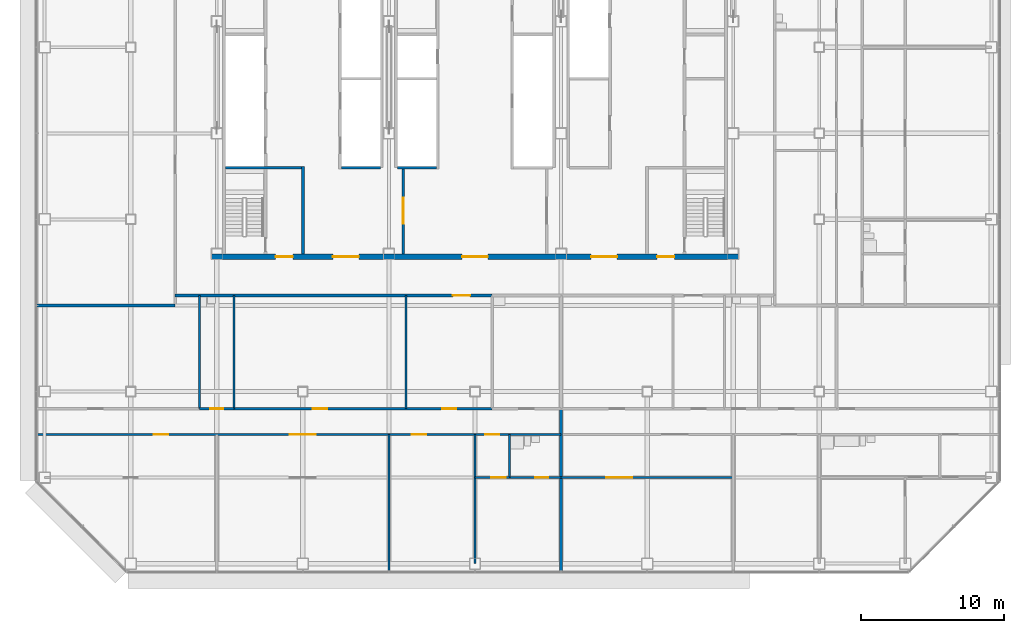
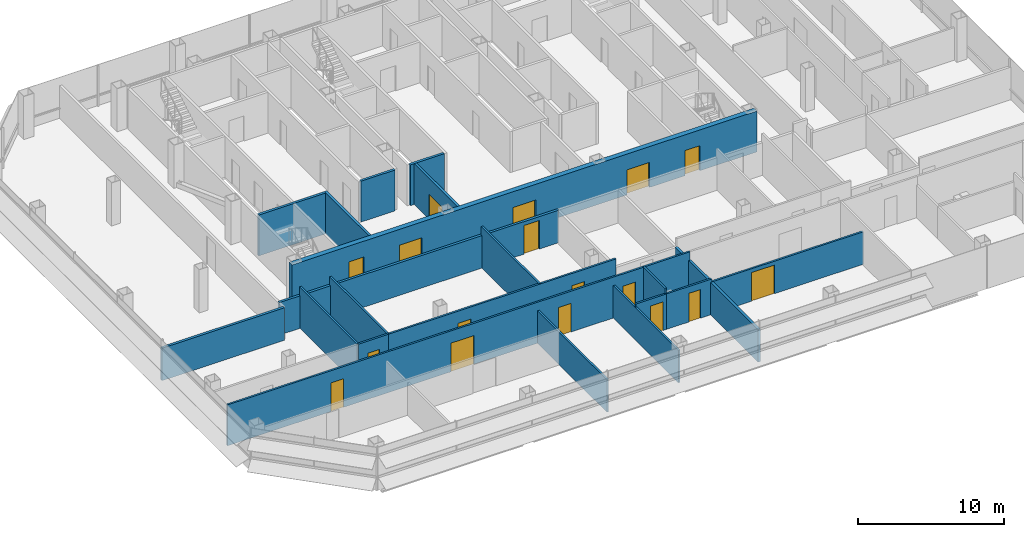
# One storey, part 19 of 25: 22 walls, 17 doors, 17 openings.
"""IFC4 building model written with IfcOpenShell, lengths in metres."""

from ifc_helpers import new_model, si_unit, direction, frame, frame_2d, origin, place, context, subcontext, project, spatial, rectangle, extrude, material, layer, layer_set, type_object, element, fill, save


model = new_model("IFC4")

# Units and contexts
model_context = context("Model", 3, precision=1e-05, world=origin(), true_north=direction((0.0, 1.0)))
body_context = subcontext(model_context, "Body", "Model", "MODEL_VIEW")
ifc_project = project(units=[si_unit("LENGTHUNIT", "METRE"), si_unit("AREAUNIT", "SQUARE_METRE"), si_unit("VOLUMEUNIT", "CUBIC_METRE"), si_unit("PLANEANGLEUNIT", "RADIAN"), si_unit("MASSUNIT", "GRAM", prefix="KILO")], contexts=[model_context])

# Site, building, storey
site_placement = place(None, origin())
site = spatial("IfcSite", under=ifc_project, at=site_placement, CompositionType="ELEMENT")
building_placement = place(site_placement, origin())
building = spatial("IfcBuilding", under=site, at=building_placement, Name="Sorahane Residences", CompositionType="ELEMENT")
storey_placement = place(building_placement, frame((0.0, 0.0, 130.39990234375)))
storey = spatial("IfcBuildingStorey", under=building, at=storey_placement, Name="L29", CompositionType="ELEMENT", Elevation=130.39990234375)

# Wall
ifc_material_1 = material(Name="Concrete blockwork C20 wall", Category="masonry")
ifc_layer_1 = layer(ifc_material_1, 0.199951171875)
ifc_layer_set_1 = layer_set([ifc_layer_1], Name="Corridor wall 200 EI 120")
wall_type_1 = type_object("IfcWallType", Name="Corridor wall 200 EI 120", PredefinedType="SOLIDWALL", material=ifc_layer_set_1)
wall_1_placement = place(storey_placement, frame((-6.60009765625, 18.0, 0.0), z_axis=(0.0, 0.0, 1.0), x_axis=(1.0, 0.0, 0.0)))
element("IfcWall", 1, at=wall_1_placement, inside=storey, type_object=wall_type_1, Name="L29 corridor wall", PredefinedType="SOLIDWALL", context=body_context, shape_type="SweptSolid", body=[
    extrude(rectangle(XDim=9.7001953125, YDim=0.199951171875, at=frame_2d((4.85009765625, 0.0))), origin(), (0.0, 0.0, 1.0), 2.72021484375),
])

# Wall, opening, door
wall_2_placement = place(storey_placement, frame((3.10009765625, 18.699951171875, 0.0), z_axis=(0.0, 0.0, 1.0), x_axis=(1.0, 0.0, 0.0)))
wall_2 = element("IfcWall", 2, at=wall_2_placement, inside=storey, type_object=wall_type_1, Name="L29 corridor wall", PredefinedType="SOLIDWALL", context=body_context, shape_type="SweptSolid", body=[
    extrude(rectangle(XDim=22.099853515625, YDim=0.199951171875, at=frame_2d((11.0498046875, 0.0))), origin(), (0.0, 0.0, 1.0), 2.72021484375),
])
opening_1_placement = place(wall_2_placement, frame((19.360107421875, 0.0, 0.0)))
opening_1 = element("IfcOpeningElement", 3, at=opening_1_placement, cuts=wall_2, Name="Opening L29-38", PredefinedType="OPENING", context=body_context, shape_type="SweptSolid", body=[
    extrude(rectangle(XDim=1.199951171875, YDim=2.39990234375, at=frame_2d((0.60009765625, 1.199951171875))), frame((0.0, 0.10986328125, 0.0), z_axis=(0.0, -1.0, 0.0), x_axis=(1.0, 0.0, 0.0)), (0.0, 0.0, 1.0), 0.219970703125),
])
ifc_material_2 = material(Name="Timber veneered fire door", Category="wood")
door_type_1 = type_object("IfcDoorType", Name="Flat entrance door 1200x2400 FD60", OperationType="NOTDEFINED", PredefinedType="DOOR", material=ifc_material_2)
door_1_placement = place(opening_1_placement, frame((1.199951171875, 0.0, 0.0), z_axis=(0.0, 0.0, 1.0), x_axis=(-1.0, 0.0, 0.0)))
door_1 = element("IfcDoor", 4, at=door_1_placement, inside=storey, type_object=door_type_1, Name="Flat entrance door L29-38", OperationType="SINGLE_SWING_RIGHT", OverallHeight=2.39990234375, OverallWidth=1.199951171875, PredefinedType="DOOR", context=body_context, shape_type="SweptSolid", body=[
    extrude(rectangle(XDim=1.199951171875, YDim=2.39990234375, at=frame_2d((0.60009765625, 1.199951171875))), frame((0.0, 0.02490234375, 0.0), z_axis=(0.0, -1.0, 0.0), x_axis=(1.0, 0.0, 0.0)), (0.0, 0.0, 1.0), 0.050048828125),
])
fill(opening_1, door_1)

# Walls
ifc_material_3 = material(Name="Concrete C30", Category="concrete")
ifc_layer_2 = layer(ifc_material_3, 0.199951171875)
ifc_layer_set_2 = layer_set([ifc_layer_2], Name="Front room wall 200 EI 120")
wall_type_2 = type_object("IfcWallType", Name="Front room wall 200 EI 120", PredefinedType="PARTITIONING", material=ifc_layer_set_2)
wall_3_placement = place(storey_placement, frame((12.0, 21.60009765625, 0.0), z_axis=(0.0, 0.0, 1.0), x_axis=(0.0, 1.0, 0.0)))
element("IfcWall", 5, at=wall_3_placement, inside=storey, type_object=wall_type_2, Name="L29 front room wall", PredefinedType="PARTITIONING", context=body_context, shape_type="SweptSolid", body=[
    extrude(rectangle(XDim=6.099853515625, YDim=0.199951171875, at=frame_2d((3.0498046875, 0.0))), origin(), (0.0, 0.0, 1.0), 3.420166015625),
])
ifc_material_4 = material(Name="Concrete C30", Category="concrete")
ifc_layer_3 = layer(ifc_material_4, 0.199951171875)
ifc_layer_set_3 = layer_set([ifc_layer_3], Name="Lift shaft wall 200 EI 120")
wall_type_3 = type_object("IfcWallType", Name="Lift shaft wall 200 EI 120", PredefinedType="SOLIDWALL", material=ifc_layer_set_3)
for number, where, z_axis, x_axis, name in (
    (6, (14.699951171875, 27.60009765625, 0.0), (0.0, 0.0, 1.0), (1.0, 0.0, 0.0), "L29 lift shaft wall"),
    (7, (18.60009765625, 27.60009765625, 0.0), (0.0, 0.0, 1.0), (1.0, 0.0, 0.0), "L29 lift shaft wall"),
):
    element("IfcWall", number, at=place(storey_placement, frame(where, z_axis=z_axis, x_axis=x_axis)), inside=storey, type_object=wall_type_3, Name=name, PredefinedType="SOLIDWALL", context=body_context, shape_type="SweptSolid", body=[
        extrude(rectangle(XDim=2.699951171875, YDim=0.199951171875, at=frame_2d((1.35009765625, 0.0))), origin(), (0.0, 0.0, 1.0), 3.420166015625),
    ])
ifc_material_5 = material(Name="Gypsum board partition on steel studs", Category="steel")
ifc_layer_4 = layer(ifc_material_5, 0.14990234375)
ifc_layer_set_4 = layer_set([ifc_layer_4], Name="Partition 150 EI 90")
wall_type_4 = type_object("IfcWallType", Name="Partition 150 EI 90", PredefinedType="PARTITIONING", material=ifc_layer_set_4)
wall_4_placement = place(storey_placement, frame((18.0, -0.60009765625, 0.0), z_axis=(0.0, 0.0, 1.0), x_axis=(0.0, 1.0, 0.0)))
element("IfcWall", 8, at=wall_4_placement, inside=storey, type_object=wall_type_4, Name="L29 partition", PredefinedType="PARTITIONING", context=body_context, shape_type="SweptSolid", body=[
    extrude(rectangle(XDim=9.60009765625, YDim=0.14990234375, at=frame_2d((4.800048828125, 0.0))), origin(), (0.0, 0.0, 1.0), 2.72021484375),
])
wall_5_placement = place(storey_placement, frame((19.199951171875, 10.800048828125, 0.0), z_axis=(0.0, 0.0, 1.0), x_axis=(0.0, 1.0, 0.0)))
element("IfcWall", 9, at=wall_5_placement, inside=storey, type_object=wall_type_4, Name="L29 partition", PredefinedType="PARTITIONING", context=body_context, shape_type="SweptSolid", body=[
    extrude(rectangle(XDim=7.89990234375, YDim=0.14990234375, at=frame_2d((3.949951171875, 0.0))), origin(), (0.0, 0.0, 1.0), 3.420166015625),
])
wall_6_placement = place(storey_placement, frame((24.0, 0.0, 0.0), z_axis=(0.0, 0.0, 1.0), x_axis=(0.0, 1.0, 0.0)))
element("IfcWall", 10, at=wall_6_placement, inside=storey, type_object=wall_type_4, Name="L29 partition", PredefinedType="PARTITIONING", context=body_context, shape_type="SweptSolid", body=[
    extrude(rectangle(XDim=9.0, YDim=0.14990234375, at=frame_2d((4.5, 0.0))), origin(), (0.0, 0.0, 1.0), 2.72021484375),
])

# Wall, openings, doors
wall_7_placement = place(storey_placement, frame((7.199951171875, 10.800048828125, 0.0), z_axis=(0.0, 0.0, 1.0), x_axis=(1.0, 0.0, 0.0)))
wall_7 = element("IfcWall", 11, at=wall_7_placement, inside=storey, type_object=wall_type_4, Name="L29 partition", PredefinedType="PARTITIONING", context=body_context, shape_type="SweptSolid", body=[
    extrude(rectangle(XDim=18.0, YDim=0.14990234375, at=frame_2d((9.0, 0.0))), origin(), (0.0, 0.0, 1.0), 3.420166015625),
])
opening_2_placement = place(wall_7_placement, frame((14.5, 0.0, 0.0)))
opening_2 = element("IfcOpeningElement", 12, at=opening_2_placement, cuts=wall_7, Name="Opening L29-01", PredefinedType="OPENING", context=body_context, shape_type="SweptSolid", body=[
    extrude(rectangle(XDim=1.0, YDim=2.39990234375, at=frame_2d((0.5, 1.199951171875))), frame((0.0, 0.0849609375, 0.0), z_axis=(0.0, -1.0, 0.0), x_axis=(1.0, 0.0, 0.0)), (0.0, 0.0, 1.0), 0.169921875),
])
opening_3_placement = place(wall_7_placement, frame((5.5, 0.0, 0.0)))
opening_3 = element("IfcOpeningElement", 13, at=opening_3_placement, cuts=wall_7, Name="Opening L29-04", PredefinedType="OPENING", context=body_context, shape_type="SweptSolid", body=[
    extrude(rectangle(XDim=1.0, YDim=2.39990234375, at=frame_2d((0.5, 1.199951171875))), frame((0.0, 0.0849609375, 0.0), z_axis=(0.0, -1.0, 0.0), x_axis=(1.0, 0.0, 0.0)), (0.0, 0.0, 1.0), 0.169921875),
])
ifc_material_6 = material(Name="Timber veneered fire door", Category="wood")
door_type_2 = type_object("IfcDoorType", Name="Room door 1000x2400 FD30", OperationType="NOTDEFINED", PredefinedType="DOOR", material=ifc_material_6)
door_2_placement = place(opening_2_placement, frame((1.0, 0.0, 0.0), z_axis=(0.0, 0.0, 1.0), x_axis=(-1.0, 0.0, 0.0)))
door_2 = element("IfcDoor", 14, at=door_2_placement, inside=storey, type_object=door_type_2, Name="Room door L29-01", OperationType="SINGLE_SWING_LEFT", OverallHeight=2.39990234375, OverallWidth=1.0, PredefinedType="DOOR", context=body_context, shape_type="SweptSolid", body=[
    extrude(rectangle(XDim=1.0, YDim=2.39990234375, at=frame_2d((0.5, 1.199951171875))), frame((0.0, 0.02490234375, 0.0), z_axis=(0.0, -1.0, 0.0), x_axis=(1.0, 0.0, 0.0)), (0.0, 0.0, 1.0), 0.050048828125),
])
fill(opening_2, door_2)
door_3_placement = place(opening_3_placement, origin())
door_3 = element("IfcDoor", 15, at=door_3_placement, inside=storey, type_object=door_type_2, Name="Room door L29-04", OperationType="SINGLE_SWING_RIGHT", OverallHeight=2.39990234375, OverallWidth=1.0, PredefinedType="DOOR", context=body_context, shape_type="SweptSolid", body=[
    extrude(rectangle(XDim=1.0, YDim=2.39990234375, at=frame_2d((0.5, 1.199951171875))), frame((0.0, 0.02490234375, 0.0), z_axis=(0.0, -1.0, 0.0), x_axis=(1.0, 0.0, 0.0)), (0.0, 0.0, 1.0), 0.050048828125),
])
fill(opening_3, door_3)

# Wall, opening, door
wall_8_placement = place(storey_placement, frame((24.0, 6.0, 0.0), z_axis=(0.0, 0.0, 1.0), x_axis=(1.0, 0.0, 0.0)))
wall_8 = element("IfcWall", 16, at=wall_8_placement, inside=storey, type_object=wall_type_4, Name="L29 partition", PredefinedType="PARTITIONING", context=body_context, shape_type="SweptSolid", body=[
    extrude(rectangle(XDim=2.39990234375, YDim=0.14990234375, at=frame_2d((1.199951171875, 0.0))), origin(), (0.0, 0.0, 1.0), 2.97021484375),
])
opening_4_placement = place(wall_8_placement, frame((1.14990234375, 0.0, 0.0)))
opening_4 = element("IfcOpeningElement", 17, at=opening_4_placement, cuts=wall_8, Name="Opening L29-12", PredefinedType="OPENING", context=body_context, shape_type="SweptSolid", body=[
    extrude(rectangle(XDim=1.0, YDim=2.39990234375, at=frame_2d((0.5, 1.199951171875))), frame((0.0, 0.0849609375, 0.0), z_axis=(0.0, -1.0, 0.0), x_axis=(1.0, 0.0, 0.0)), (0.0, 0.0, 1.0), 0.169921875),
])
door_4_placement = place(opening_4_placement, frame((1.0, 0.0, 0.0), z_axis=(0.0, 0.0, 1.0), x_axis=(-1.0, 0.0, 0.0)))
door_4 = element("IfcDoor", 18, at=door_4_placement, inside=storey, type_object=door_type_2, Name="Room door L29-12", OperationType="SINGLE_SWING_RIGHT", OverallHeight=2.39990234375, OverallWidth=1.0, PredefinedType="DOOR", context=body_context, shape_type="SweptSolid", body=[
    extrude(rectangle(XDim=1.0, YDim=2.39990234375, at=frame_2d((0.5, 1.199951171875))), frame((0.0, 0.02490234375, 0.0), z_axis=(0.0, -1.0, 0.0), x_axis=(1.0, 0.0, 0.0)), (0.0, 0.0, 1.0), 0.050048828125),
])
fill(opening_4, door_4)

wall_9_placement = place(storey_placement, frame((30.0, 6.0, 0.0), z_axis=(0.0, 0.0, 1.0), x_axis=(1.0, 0.0, 0.0)))
wall_9 = element("IfcWall", 19, at=wall_9_placement, inside=storey, type_object=wall_type_4, Name="L29 partition", PredefinedType="PARTITIONING", context=body_context, shape_type="SweptSolid", body=[
    extrude(rectangle(XDim=12.0, YDim=0.14990234375, at=frame_2d((6.0, 0.0))), origin(), (0.0, 0.0, 1.0), 2.72021484375),
])
opening_5_placement = place(wall_9_placement, frame((3.159912109375, 0.0, 0.0)))
opening_5 = element("IfcOpeningElement", 20, at=opening_5_placement, cuts=wall_9, Name="Opening L29-22", PredefinedType="OPENING", context=body_context, shape_type="SweptSolid", body=[
    extrude(rectangle(XDim=1.800048828125, YDim=2.39990234375, at=frame_2d((0.89990234375, 1.199951171875))), frame((0.0, 0.0849609375, 0.0), z_axis=(0.0, -1.0, 0.0), x_axis=(1.0, 0.0, 0.0)), (0.0, 0.0, 1.0), 0.169921875),
])
ifc_material_7 = material(Name="Timber veneered fire door", Category="wood")
door_type_3 = type_object("IfcDoorType", Name="Double door 1800x2400 FD30", OperationType="NOTDEFINED", PredefinedType="DOOR", material=ifc_material_7)
door_5_placement = place(opening_5_placement, frame((1.800048828125, 0.0, 0.0), z_axis=(0.0, 0.0, 1.0), x_axis=(-1.0, 0.0, 0.0)))
door_5 = element("IfcDoor", 21, at=door_5_placement, inside=storey, type_object=door_type_3, Name="Double door L29-22", OperationType="SINGLE_SWING_RIGHT", OverallHeight=2.39990234375, OverallWidth=1.800048828125, PredefinedType="DOOR", context=body_context, shape_type="SweptSolid", body=[
    extrude(rectangle(XDim=1.800048828125, YDim=2.39990234375, at=frame_2d((0.89990234375, 1.199951171875))), frame((0.0, 0.02490234375, 0.0), z_axis=(0.0, -1.0, 0.0), x_axis=(1.0, 0.0, 0.0)), (0.0, 0.0, 1.0), 0.050048828125),
])
fill(opening_5, door_5)

# Wall, openings, doors
wall_10_placement = place(storey_placement, frame((-6.60009765625, 9.0, 0.0), z_axis=(0.0, 0.0, 1.0), x_axis=(1.0, 0.0, 0.0)))
wall_10 = element("IfcWall", 22, at=wall_10_placement, inside=storey, type_object=wall_type_4, Name="L29 partition", PredefinedType="PARTITIONING", context=body_context, shape_type="SweptSolid", body=[
    extrude(rectangle(XDim=33.0, YDim=0.14990234375, at=frame_2d((16.5, 0.0))), origin(), (0.0, 0.0, 1.0), 3.420166015625),
])
opening_6_placement = place(wall_10_placement, frame((8.199951171875, 0.0, 0.0)))
opening_6 = element("IfcOpeningElement", 23, at=opening_6_placement, cuts=wall_10, Name="Opening L29-06", PredefinedType="OPENING", context=body_context, shape_type="SweptSolid", body=[
    extrude(rectangle(XDim=1.0, YDim=2.39990234375, at=frame_2d((0.5, 1.199951171875))), frame((0.0, 0.0849609375, 0.0), z_axis=(0.0, -1.0, 0.0), x_axis=(1.0, 0.0, 0.0)), (0.0, 0.0, 1.0), 0.169921875),
])
opening_7_placement = place(wall_10_placement, frame((17.699951171875, 0.0, 0.0)))
opening_7 = element("IfcOpeningElement", 24, at=opening_7_placement, cuts=wall_10, Name="Opening L29-07", PredefinedType="OPENING", context=body_context, shape_type="SweptSolid", body=[
    extrude(rectangle(XDim=1.800048828125, YDim=2.39990234375, at=frame_2d((0.89990234375, 1.199951171875))), frame((0.0, 0.0849609375, 0.0), z_axis=(0.0, -1.0, 0.0), x_axis=(1.0, 0.0, 0.0)), (0.0, 0.0, 1.0), 0.169921875),
])
opening_8_placement = place(wall_10_placement, frame((26.199951171875, 0.0, 0.0)))
opening_8 = element("IfcOpeningElement", 25, at=opening_8_placement, cuts=wall_10, Name="Opening L29-08", PredefinedType="OPENING", context=body_context, shape_type="SweptSolid", body=[
    extrude(rectangle(XDim=1.0, YDim=2.39990234375, at=frame_2d((0.5, 1.199951171875))), frame((0.0, 0.0849609375, 0.0), z_axis=(0.0, -1.0, 0.0), x_axis=(1.0, 0.0, 0.0)), (0.0, 0.0, 1.0), 0.169921875),
])
opening_9_placement = place(wall_10_placement, frame((31.300048828125, 0.0, 0.0)))
opening_9 = element("IfcOpeningElement", 26, at=opening_9_placement, cuts=wall_10, Name="Opening L29-09", PredefinedType="OPENING", context=body_context, shape_type="SweptSolid", body=[
    extrude(rectangle(XDim=1.0, YDim=2.39990234375, at=frame_2d((0.5, 1.199951171875))), frame((0.0, 0.0849609375, 0.0), z_axis=(0.0, -1.0, 0.0), x_axis=(1.0, 0.0, 0.0)), (0.0, 0.0, 1.0), 0.169921875),
])
door_6_placement = place(opening_7_placement, frame((1.800048828125, 0.0, 0.0), z_axis=(0.0, 0.0, 1.0), x_axis=(-1.0, 0.0, 0.0)))
door_6 = element("IfcDoor", 27, at=door_6_placement, inside=storey, type_object=door_type_3, Name="Double door L29-07", OperationType="SINGLE_SWING_LEFT", OverallHeight=2.39990234375, OverallWidth=1.800048828125, PredefinedType="DOOR", context=body_context, shape_type="SweptSolid", body=[
    extrude(rectangle(XDim=1.800048828125, YDim=2.39990234375, at=frame_2d((0.89990234375, 1.199951171875))), frame((0.0, 0.02490234375, 0.0), z_axis=(0.0, -1.0, 0.0), x_axis=(1.0, 0.0, 0.0)), (0.0, 0.0, 1.0), 0.050048828125),
])
fill(opening_7, door_6)
door_7_placement = place(opening_6_placement, frame((1.0, 0.0, 0.0), z_axis=(0.0, 0.0, 1.0), x_axis=(-1.0, 0.0, 0.0)))
door_7 = element("IfcDoor", 28, at=door_7_placement, inside=storey, type_object=door_type_2, Name="Room door L29-06", OperationType="SINGLE_SWING_LEFT", OverallHeight=2.39990234375, OverallWidth=1.0, PredefinedType="DOOR", context=body_context, shape_type="SweptSolid", body=[
    extrude(rectangle(XDim=1.0, YDim=2.39990234375, at=frame_2d((0.5, 1.199951171875))), frame((0.0, 0.02490234375, 0.0), z_axis=(0.0, -1.0, 0.0), x_axis=(1.0, 0.0, 0.0)), (0.0, 0.0, 1.0), 0.050048828125),
])
fill(opening_6, door_7)
door_8_placement = place(opening_8_placement, frame((1.0, 0.0, 0.0), z_axis=(0.0, 0.0, 1.0), x_axis=(-1.0, 0.0, 0.0)))
door_8 = element("IfcDoor", 29, at=door_8_placement, inside=storey, type_object=door_type_2, Name="Room door L29-08", OperationType="SINGLE_SWING_LEFT", OverallHeight=2.39990234375, OverallWidth=1.0, PredefinedType="DOOR", context=body_context, shape_type="SweptSolid", body=[
    extrude(rectangle(XDim=1.0, YDim=2.39990234375, at=frame_2d((0.5, 1.199951171875))), frame((0.0, 0.02490234375, 0.0), z_axis=(0.0, -1.0, 0.0), x_axis=(1.0, 0.0, 0.0)), (0.0, 0.0, 1.0), 0.050048828125),
])
fill(opening_8, door_8)
door_9_placement = place(opening_9_placement, frame((1.0, 0.0, 0.0), z_axis=(0.0, 0.0, 1.0), x_axis=(-1.0, 0.0, 0.0)))
door_9 = element("IfcDoor", 30, at=door_9_placement, inside=storey, type_object=door_type_2, Name="Room door L29-09", OperationType="SINGLE_SWING_RIGHT", OverallHeight=2.39990234375, OverallWidth=1.0, PredefinedType="DOOR", context=body_context, shape_type="SweptSolid", body=[
    extrude(rectangle(XDim=1.0, YDim=2.39990234375, at=frame_2d((0.5, 1.199951171875))), frame((0.0, 0.02490234375, 0.0), z_axis=(0.0, -1.0, 0.0), x_axis=(1.0, 0.0, 0.0)), (0.0, 0.0, 1.0), 0.050048828125),
])
fill(opening_9, door_9)

# Wall
ifc_material_8 = material(Name="Concrete blockwork C20 wall", Category="masonry")
ifc_layer_5 = layer(ifc_material_8, 0.199951171875)
ifc_layer_set_5 = layer_set([ifc_layer_5], Name="Party wall 200 EI 120")
wall_type_5 = type_object("IfcWallType", Name="Party wall 200 EI 120", PredefinedType="SOLIDWALL", material=ifc_layer_set_5)
wall_11_placement = place(storey_placement, frame((30.0, -0.60009765625, 0.0), z_axis=(0.0, 0.0, 1.0), x_axis=(0.0, 1.0, 0.0)))
element("IfcWall", 31, at=wall_11_placement, inside=storey, type_object=wall_type_5, Name="L29 party wall", PredefinedType="SOLIDWALL", context=body_context, shape_type="SweptSolid", body=[
    extrude(rectangle(XDim=11.400146484375, YDim=0.199951171875, at=frame_2d((5.7001953125, 0.0))), origin(), (0.0, 0.0, 1.0), 2.72021484375),
])

# Wall, opening, door
ifc_material_9 = material(Name="Concrete C30", Category="concrete")
ifc_layer_6 = layer(ifc_material_9, 0.199951171875)
ifc_layer_set_6 = layer_set([ifc_layer_6], Name="Service room partition 200 EI 60")
wall_type_6 = type_object("IfcWallType", Name="Service room partition 200 EI 60", PredefinedType="PARTITIONING", material=ifc_layer_set_6)
wall_12_placement = place(storey_placement, frame((19.0, 21.60009765625, 0.0), z_axis=(0.0, 0.0, 1.0), x_axis=(0.0, 1.0, 0.0)))
wall_12 = element("IfcWall", 32, at=wall_12_placement, inside=storey, type_object=wall_type_6, Name="L29 service room wall", PredefinedType="PARTITIONING", context=body_context, shape_type="SweptSolid", body=[
    extrude(rectangle(XDim=6.0, YDim=0.199951171875, at=frame_2d((3.0, 0.0))), origin(), (0.0, 0.0, 1.0), 3.420166015625),
])
opening_10_placement = place(wall_12_placement, frame((2.10009765625, 0.0, 0.0)))
opening_10 = element("IfcOpeningElement", 33, at=opening_10_placement, cuts=wall_12, Name="Opening L29-C02", PredefinedType="OPENING", context=body_context, shape_type="SweptSolid", body=[
    extrude(rectangle(XDim=1.800048828125, YDim=2.10009765625, at=frame_2d((0.89990234375, 1.050048828125))), frame((0.0, 0.10986328125, 0.0), z_axis=(0.0, -1.0, 0.0), x_axis=(1.0, 0.0, 0.0)), (0.0, 0.0, 1.0), 0.219970703125),
])
ifc_material_10 = material(Name="Steel", Category="steel")
door_type_4 = type_object("IfcDoorType", Name="Waiting hall door 1800x2100 FD60", OperationType="NOTDEFINED", PredefinedType="DOOR", material=ifc_material_10)
door_10_placement = place(opening_10_placement, origin())
door_10 = element("IfcDoor", 34, at=door_10_placement, inside=storey, type_object=door_type_4, Name="Waiting hall door Residents' waiting hall west L29", OperationType="SINGLE_SWING_LEFT", OverallHeight=2.10009765625, OverallWidth=1.800048828125, PredefinedType="DOOR", context=body_context, shape_type="SweptSolid", body=[
    extrude(rectangle(XDim=1.800048828125, YDim=2.10009765625, at=frame_2d((0.89990234375, 1.050048828125))), frame((0.0, 0.02490234375, 0.0), z_axis=(0.0, -1.0, 0.0), x_axis=(1.0, 0.0, 0.0)), (0.0, 0.0, 1.0), 0.050048828125),
])
fill(opening_10, door_10)

# Wall
ifc_material_11 = material(Name="Concrete C30", Category="concrete")
ifc_layer_7 = layer(ifc_material_11, 0.199951171875)
ifc_layer_set_7 = layer_set([ifc_layer_7], Name="Stair enclosure wall 200 EI 120")
wall_type_7 = type_object("IfcWallType", Name="Stair enclosure wall 200 EI 120", PredefinedType="SOLIDWALL", material=ifc_layer_set_7)
wall_13_placement = place(storey_placement, frame((6.60009765625, 27.60009765625, 0.0), z_axis=(0.0, 0.0, 1.0), x_axis=(1.0, 0.0, 0.0)))
element("IfcWall", 35, at=wall_13_placement, inside=storey, type_object=wall_type_7, Name="L29 stair enclosure wall", PredefinedType="SOLIDWALL", context=body_context, shape_type="SweptSolid", body=[
    extrude(rectangle(XDim=5.2998046875, YDim=0.199951171875, at=frame_2d((2.64990234375, 0.0))), origin(), (0.0, 0.0, 1.0), 3.420166015625),
])

# Wall, openings, doors
ifc_material_12 = material(Name="Concrete C30", Category="concrete")
ifc_layer_8 = layer(ifc_material_12, 0.39990234375)
ifc_layer_set_8 = layer_set([ifc_layer_8], Name="Waiting hall wall 400 EI 120")
wall_type_8 = type_object("IfcWallType", Name="Waiting hall wall 400 EI 120", PredefinedType="SOLIDWALL", material=ifc_layer_set_8)
wall_14_placement = place(storey_placement, frame((5.60009765625, 21.39990234375, 0.0), z_axis=(0.0, 0.0, 1.0), x_axis=(1.0, 0.0, 0.0)))
wall_14 = element("IfcWall", 36, at=wall_14_placement, inside=storey, type_object=wall_type_8, Name="L29 waiting hall wall", PredefinedType="SOLIDWALL", context=body_context, shape_type="SweptSolid", body=[
    extrude(rectangle(XDim=36.7998046875, YDim=0.39990234375, at=frame_2d((18.39990234375, 0.0))), origin(), (0.0, 0.0, 1.0), 3.420166015625),
])
opening_11_placement = place(wall_14_placement, frame((8.5, 0.0, 0.0)))
opening_11 = element("IfcOpeningElement", 37, at=opening_11_placement, cuts=wall_14, Name="Opening L29-C01", PredefinedType="OPENING", context=body_context, shape_type="SweptSolid", body=[
    extrude(rectangle(XDim=1.800048828125, YDim=2.10009765625, at=frame_2d((0.89990234375, 1.050048828125))), frame((0.0, 0.2099609375, 0.0), z_axis=(0.0, -1.0, 0.0), x_axis=(1.0, 0.0, 0.0)), (0.0, 0.0, 1.0), 0.419921875),
])
opening_12_placement = place(wall_14_placement, frame((17.5, 0.0, 0.0)))
opening_12 = element("IfcOpeningElement", 38, at=opening_12_placement, cuts=wall_14, Name="Opening L29-C03", PredefinedType="OPENING", context=body_context, shape_type="SweptSolid", body=[
    extrude(rectangle(XDim=1.800048828125, YDim=2.10009765625, at=frame_2d((0.89990234375, 1.050048828125))), frame((0.0, 0.2099609375, 0.0), z_axis=(0.0, -1.0, 0.0), x_axis=(1.0, 0.0, 0.0)), (0.0, 0.0, 1.0), 0.419921875),
])
opening_13_placement = place(wall_14_placement, frame((26.5, 0.0, 0.0)))
opening_13 = element("IfcOpeningElement", 39, at=opening_13_placement, cuts=wall_14, Name="Opening L29-C05", PredefinedType="OPENING", context=body_context, shape_type="SweptSolid", body=[
    extrude(rectangle(XDim=1.800048828125, YDim=2.10009765625, at=frame_2d((0.89990234375, 1.050048828125))), frame((0.0, 0.2099609375, 0.0), z_axis=(0.0, -1.0, 0.0), x_axis=(1.0, 0.0, 0.0)), (0.0, 0.0, 1.0), 0.419921875),
])
opening_14_placement = place(wall_14_placement, frame((4.5, 0.0, 0.0)))
opening_14 = element("IfcOpeningElement", 40, at=opening_14_placement, cuts=wall_14, Name="Opening L29-C06", PredefinedType="OPENING", context=body_context, shape_type="SweptSolid", body=[
    extrude(rectangle(XDim=1.199951171875, YDim=2.10009765625, at=frame_2d((0.60009765625, 1.050048828125))), frame((0.0, 0.2099609375, 0.0), z_axis=(0.0, -1.0, 0.0), x_axis=(1.0, 0.0, 0.0)), (0.0, 0.0, 1.0), 0.419921875),
])
opening_15_placement = place(wall_14_placement, frame((31.10009765625, 0.0, 0.0)))
opening_15 = element("IfcOpeningElement", 41, at=opening_15_placement, cuts=wall_14, Name="Opening L29-C07", PredefinedType="OPENING", context=body_context, shape_type="SweptSolid", body=[
    extrude(rectangle(XDim=1.199951171875, YDim=2.10009765625, at=frame_2d((0.60009765625, 1.050048828125))), frame((0.0, 0.2099609375, 0.0), z_axis=(0.0, -1.0, 0.0), x_axis=(1.0, 0.0, 0.0)), (0.0, 0.0, 1.0), 0.419921875),
])
ifc_material_13 = material(Name="Steel", Category="steel")
door_type_5 = type_object("IfcDoorType", Name="Stair front room door 1200x2100 FD120", OperationType="NOTDEFINED", PredefinedType="DOOR", material=ifc_material_13)
door_11_placement = place(opening_14_placement, frame((1.199951171875, 0.0, 0.0), z_axis=(0.0, 0.0, 1.0), x_axis=(-1.0, 0.0, 0.0)))
door_11 = element("IfcDoor", 42, at=door_11_placement, inside=storey, type_object=door_type_5, Name="Stair front room door Stair S4 front room L29", OperationType="SINGLE_SWING_LEFT", OverallHeight=2.10009765625, OverallWidth=1.199951171875, PredefinedType="DOOR", context=body_context, shape_type="SweptSolid", body=[
    extrude(rectangle(XDim=1.199951171875, YDim=2.10009765625, at=frame_2d((0.60009765625, 1.050048828125))), frame((0.0, 0.02490234375, 0.0), z_axis=(0.0, -1.0, 0.0), x_axis=(1.0, 0.0, 0.0)), (0.0, 0.0, 1.0), 0.050048828125),
])
fill(opening_14, door_11)
door_12_placement = place(opening_15_placement, frame((1.199951171875, 0.0, 0.0), z_axis=(0.0, 0.0, 1.0), x_axis=(-1.0, 0.0, 0.0)))
door_12 = element("IfcDoor", 43, at=door_12_placement, inside=storey, type_object=door_type_5, Name="Stair front room door Stair S5 front room L29", OperationType="SINGLE_SWING_LEFT", OverallHeight=2.10009765625, OverallWidth=1.199951171875, PredefinedType="DOOR", context=body_context, shape_type="SweptSolid", body=[
    extrude(rectangle(XDim=1.199951171875, YDim=2.10009765625, at=frame_2d((0.60009765625, 1.050048828125))), frame((0.0, 0.02490234375, 0.0), z_axis=(0.0, -1.0, 0.0), x_axis=(1.0, 0.0, 0.0)), (0.0, 0.0, 1.0), 0.050048828125),
])
fill(opening_15, door_12)
door_13_placement = place(opening_11_placement, frame((1.800048828125, 0.0, 0.0), z_axis=(0.0, 0.0, 1.0), x_axis=(-1.0, 0.0, 0.0)))
door_13 = element("IfcDoor", 44, at=door_13_placement, inside=storey, type_object=door_type_4, Name="Waiting hall door Residents' waiting hall west L29", OperationType="SINGLE_SWING_LEFT", OverallHeight=2.10009765625, OverallWidth=1.800048828125, PredefinedType="DOOR", context=body_context, shape_type="SweptSolid", body=[
    extrude(rectangle(XDim=1.800048828125, YDim=2.10009765625, at=frame_2d((0.89990234375, 1.050048828125))), frame((0.0, 0.02490234375, 0.0), z_axis=(0.0, -1.0, 0.0), x_axis=(1.0, 0.0, 0.0)), (0.0, 0.0, 1.0), 0.050048828125),
])
fill(opening_11, door_13)
door_14_placement = place(opening_12_placement, frame((1.800048828125, 0.0, 0.0), z_axis=(0.0, 0.0, 1.0), x_axis=(-1.0, 0.0, 0.0)))
door_14 = element("IfcDoor", 45, at=door_14_placement, inside=storey, type_object=door_type_4, Name="Waiting hall door Residents' waiting hall centre L29", OperationType="SINGLE_SWING_LEFT", OverallHeight=2.10009765625, OverallWidth=1.800048828125, PredefinedType="DOOR", context=body_context, shape_type="SweptSolid", body=[
    extrude(rectangle(XDim=1.800048828125, YDim=2.10009765625, at=frame_2d((0.89990234375, 1.050048828125))), frame((0.0, 0.02490234375, 0.0), z_axis=(0.0, -1.0, 0.0), x_axis=(1.0, 0.0, 0.0)), (0.0, 0.0, 1.0), 0.050048828125),
])
fill(opening_12, door_14)
door_15_placement = place(opening_13_placement, frame((1.800048828125, 0.0, 0.0), z_axis=(0.0, 0.0, 1.0), x_axis=(-1.0, 0.0, 0.0)))
door_15 = element("IfcDoor", 46, at=door_15_placement, inside=storey, type_object=door_type_4, Name="Waiting hall door Residents' waiting hall east L29", OperationType="SINGLE_SWING_LEFT", OverallHeight=2.10009765625, OverallWidth=1.800048828125, PredefinedType="DOOR", context=body_context, shape_type="SweptSolid", body=[
    extrude(rectangle(XDim=1.800048828125, YDim=2.10009765625, at=frame_2d((0.89990234375, 1.050048828125))), frame((0.0, 0.02490234375, 0.0), z_axis=(0.0, -1.0, 0.0), x_axis=(1.0, 0.0, 0.0)), (0.0, 0.0, 1.0), 0.050048828125),
])
fill(opening_13, door_15)

# Walls
ifc_material_14 = material(Name="Gypsum board partition on steel studs", Category="steel")
ifc_layer_9 = layer(ifc_material_14, 0.14990234375)
ifc_layer_set_9 = layer_set([ifc_layer_9], Name="Wet wall 150 EI 90")
wall_type_9 = type_object("IfcWallType", Name="Wet wall 150 EI 90", PredefinedType="PARTITIONING", material=ifc_layer_set_9)
wall_15_placement = place(storey_placement, frame((26.39990234375, 6.0, 0.0), z_axis=(0.0, 0.0, 1.0), x_axis=(0.0, 1.0, 0.0)))
element("IfcWall", 47, at=wall_15_placement, inside=storey, type_object=wall_type_9, Name="L29 wet wall", PredefinedType="PARTITIONING", context=body_context, shape_type="SweptSolid", body=[
    extrude(rectangle(XDim=3.0, YDim=0.14990234375, at=frame_2d((1.5, 0.0))), origin(), (0.0, 0.0, 1.0), 3.420166015625),
])
for number, where, z_axis, x_axis, name in (
    (48, (4.800048828125, 10.800048828125, 0.0), (0.0, 0.0, 1.0), (0.0, 1.0, 0.0), "L29 wet wall"),
    (49, (7.199951171875, 10.800048828125, 0.0), (0.0, 0.0, 1.0), (0.0, 1.0, 0.0), "L29 wet wall"),
):
    element("IfcWall", number, at=place(storey_placement, frame(where, z_axis=z_axis, x_axis=x_axis)), inside=storey, type_object=wall_type_9, Name=name, PredefinedType="PARTITIONING", context=body_context, shape_type="SweptSolid", body=[
        extrude(rectangle(XDim=7.89990234375, YDim=0.14990234375, at=frame_2d((3.949951171875, 0.0))), origin(), (0.0, 0.0, 1.0), 3.420166015625),
    ])

# Wall, opening, door
wall_16_placement = place(storey_placement, frame((4.800048828125, 10.800048828125, 0.0), z_axis=(0.0, 0.0, 1.0), x_axis=(1.0, 0.0, 0.0)))
wall_16 = element("IfcWall", 50, at=wall_16_placement, inside=storey, type_object=wall_type_9, Name="L29 wet wall", PredefinedType="PARTITIONING", context=body_context, shape_type="SweptSolid", body=[
    extrude(rectangle(XDim=2.39990234375, YDim=0.14990234375, at=frame_2d((1.199951171875, 0.0))), origin(), (0.0, 0.0, 1.0), 3.420166015625),
])
opening_16_placement = place(wall_16_placement, frame((0.75, 0.0, 0.0)))
opening_16 = element("IfcOpeningElement", 51, at=opening_16_placement, cuts=wall_16, Name="Opening L29-03", PredefinedType="OPENING", context=body_context, shape_type="SweptSolid", body=[
    extrude(rectangle(XDim=0.89990234375, YDim=2.39990234375, at=frame_2d((0.449951171875, 1.199951171875))), frame((0.0, 0.0849609375, 0.0), z_axis=(0.0, -1.0, 0.0), x_axis=(1.0, 0.0, 0.0)), (0.0, 0.0, 1.0), 0.169921875),
])
ifc_material_15 = material(Name="Timber veneered fire door", Category="wood")
door_type_6 = type_object("IfcDoorType", Name="Bathroom door 900x2400 FD30", OperationType="NOTDEFINED", PredefinedType="DOOR", material=ifc_material_15)
door_16_placement = place(opening_16_placement, frame((0.89990234375, 0.0, 0.0), z_axis=(0.0, 0.0, 1.0), x_axis=(-1.0, 0.0, 0.0)))
door_16 = element("IfcDoor", 52, at=door_16_placement, inside=storey, type_object=door_type_6, Name="Bathroom door L29-03", OperationType="SINGLE_SWING_LEFT", OverallHeight=2.39990234375, OverallWidth=0.89990234375, PredefinedType="DOOR", context=body_context, shape_type="SweptSolid", body=[
    extrude(rectangle(XDim=0.89990234375, YDim=2.39990234375, at=frame_2d((0.449951171875, 1.199951171875))), frame((0.0, 0.02490234375, 0.0), z_axis=(0.0, -1.0, 0.0), x_axis=(1.0, 0.0, 0.0)), (0.0, 0.0, 1.0), 0.050048828125),
])
fill(opening_16, door_16)

wall_17_placement = place(storey_placement, frame((26.39990234375, 6.0, 0.0), z_axis=(0.0, 0.0, 1.0), x_axis=(1.0, 0.0, 0.0)))
wall_17 = element("IfcWall", 53, at=wall_17_placement, inside=storey, type_object=wall_type_9, Name="L29 wet wall", PredefinedType="PARTITIONING", context=body_context, shape_type="SweptSolid", body=[
    extrude(rectangle(XDim=3.60009765625, YDim=0.14990234375, at=frame_2d((1.800048828125, 0.0))), origin(), (0.0, 0.0, 1.0), 2.97021484375),
])
opening_17_placement = place(wall_17_placement, frame((1.7900390625, 0.0, 0.0)))
opening_17 = element("IfcOpeningElement", 54, at=opening_17_placement, cuts=wall_17, Name="Opening L29-13", PredefinedType="OPENING", context=body_context, shape_type="SweptSolid", body=[
    extrude(rectangle(XDim=0.89990234375, YDim=2.39990234375, at=frame_2d((0.449951171875, 1.199951171875))), frame((0.0, 0.0849609375, 0.0), z_axis=(0.0, -1.0, 0.0), x_axis=(1.0, 0.0, 0.0)), (0.0, 0.0, 1.0), 0.169921875),
])
door_17_placement = place(opening_17_placement, frame((0.89990234375, 0.0, 0.0), z_axis=(0.0, 0.0, 1.0), x_axis=(-1.0, 0.0, 0.0)))
door_17 = element("IfcDoor", 55, at=door_17_placement, inside=storey, type_object=door_type_6, Name="Bathroom door L29-13", OperationType="SINGLE_SWING_RIGHT", OverallHeight=2.39990234375, OverallWidth=0.89990234375, PredefinedType="DOOR", context=body_context, shape_type="SweptSolid", body=[
    extrude(rectangle(XDim=0.89990234375, YDim=2.39990234375, at=frame_2d((0.449951171875, 1.199951171875))), frame((0.0, 0.02490234375, 0.0), z_axis=(0.0, -1.0, 0.0), x_axis=(1.0, 0.0, 0.0)), (0.0, 0.0, 1.0), 0.050048828125),
])
fill(opening_17, door_17)

# Wall
wall_18_placement = place(storey_placement, frame((26.39990234375, 9.0, 0.0), z_axis=(0.0, 0.0, 1.0), x_axis=(1.0, 0.0, 0.0)))
element("IfcWall", 56, at=wall_18_placement, inside=storey, type_object=wall_type_9, Name="L29 wet wall", PredefinedType="PARTITIONING", context=body_context, shape_type="SweptSolid", body=[
    extrude(rectangle(XDim=3.60009765625, YDim=0.14990234375, at=frame_2d((1.800048828125, 0.0))), origin(), (0.0, 0.0, 1.0), 3.420166015625),
])

save(model, "model.ifc")
